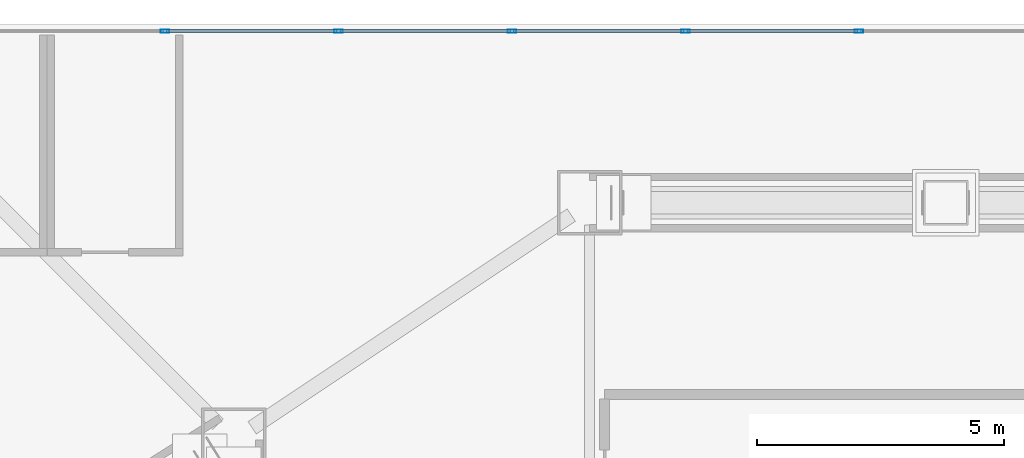
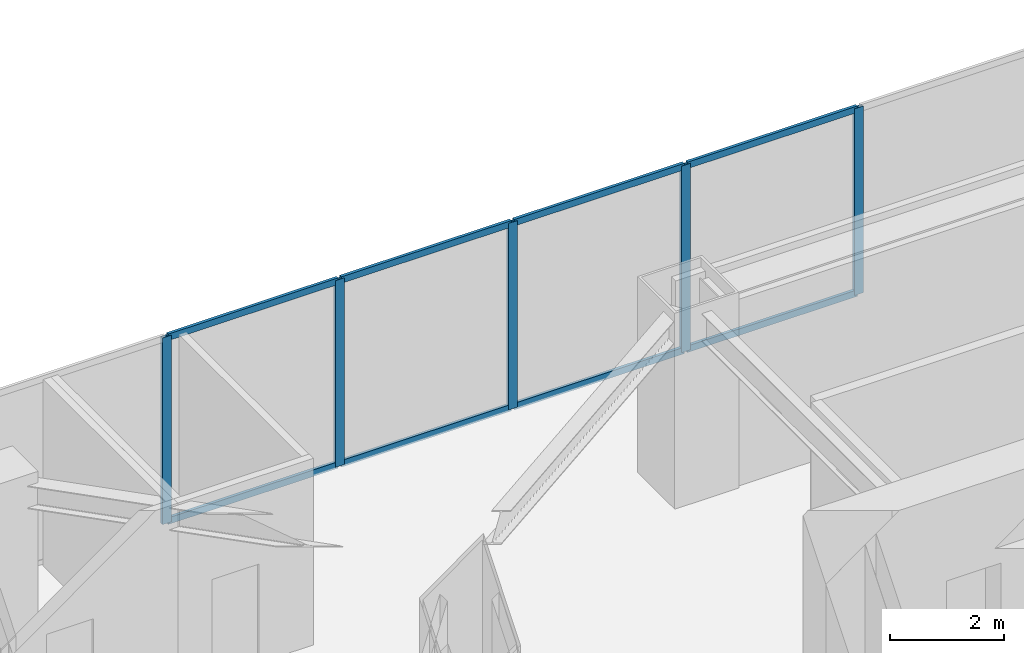
# One storey, part 13 of 39: 13 members, 1 element without a shape of its own.
"""IFC4 building model written with IfcOpenShell, lengths in metres."""

from ifc_helpers import new_model, si_unit, direction, frame, origin, origin_2d, place, context, subcontext, project, spatial, hollow_rectangle, extrude, material, layer, layer_set, material_profile, profile_set, type_object, element, aggregate, save


model = new_model("IFC4")

# Units and contexts
model_context = context("Model", 3, precision=1e-05, world=origin(), true_north=direction((0.0, 1.0)))
body_context = subcontext(model_context, "Body", "Model", "MODEL_VIEW")
ifc_project = project(units=[si_unit("LENGTHUNIT", "METRE"), si_unit("AREAUNIT", "SQUARE_METRE"), si_unit("VOLUMEUNIT", "CUBIC_METRE"), si_unit("PLANEANGLEUNIT", "RADIAN"), si_unit("MASSUNIT", "GRAM", prefix="KILO")], contexts=[model_context])

# Site, building, storey
site_placement = place(None, origin())
site = spatial("IfcSite", under=ifc_project, at=site_placement, CompositionType="ELEMENT")
building_placement = place(site_placement, origin())
building = spatial("IfcBuilding", under=site, at=building_placement, Name="Haolan Belvedere Tower", CompositionType="ELEMENT")
storey_placement = place(building_placement, frame((0.0, 0.0, 19.800048828125)))
storey = spatial("IfcBuildingStorey", under=building, at=storey_placement, Name="L04", CompositionType="ELEMENT", Elevation=19.800048828125)

# Curtain wall, members
ifc_material_1 = material(Name="Anodised champagne-silver aluminium 6063-T6 and Low-E glass", Category="aluminium")
ifc_layer = layer(ifc_material_1, 0.179931640625, Name="Anodised champagne-silver aluminium 6063-T6 and Low-E glass")
ifc_layer_set = layer_set([ifc_layer], Name="Anodised champagne-silver aluminium 6063-T6 and Low-E glass")
curtain_wall_type = type_object("IfcCurtainWallType", Name="CW-SYS-01", PredefinedType="NOTDEFINED", material=ifc_layer_set)
curtain_wall_placement = place(storey_placement, origin())
curtain_wall = element("IfcCurtainWall", 1, at=curtain_wall_placement, inside=storey, type_object=curtain_wall_type, Name="L04 CW-SYS-01 ribbon curtain wall 3.1", PredefinedType="NOTDEFINED")
ifc_material_2 = material(Name="Anodised aluminium 6063-T6", Category="aluminium")
ifc_material_profile_1 = material_profile(ifc_material_2, hollow_rectangle(XDim=0.06494140625, YDim=0.179931640625, WallThickness=0.00390625, at=origin_2d()), Name="Anodised aluminium 6063-T6")
ifc_profile_set_1 = profile_set([ifc_material_profile_1], Name="Anodised aluminium 6063-T6")
member_type_1 = type_object("IfcMemberType", Name="CW-SYS-01-MUL", PredefinedType="MULLION", material=ifc_profile_set_1)
member_1_placement = place(storey_placement, frame((36.645751953125, 53.8701171875, 0.0), z_axis=(0.0, 0.0, 1.0), x_axis=(0.0, -1.0, 0.0)))
member_1 = element("IfcMember", 2, at=member_1_placement, type_object=member_type_1, Name="CW-01 mullion 11", PredefinedType="MULLION", context=body_context, shape_type="SweptSolid", body=[
    extrude(hollow_rectangle(XDim=0.06494140625, YDim=0.179931640625, WallThickness=0.00390625, at=origin_2d()), origin(), (0.0, 0.0, 1.0), 4.0),
])
member_2_placement = place(storey_placement, frame((33.137451171875, 53.8701171875, 0.0), z_axis=(0.0, 0.0, 1.0), x_axis=(0.0, -1.0, 0.0)))
member_2 = element("IfcMember", 3, at=member_2_placement, type_object=member_type_1, Name="CW-01 mullion 12", PredefinedType="MULLION", context=body_context, shape_type="SweptSolid", body=[
    extrude(hollow_rectangle(XDim=0.06494140625, YDim=0.179931640625, WallThickness=0.00390625, at=origin_2d()), origin(), (0.0, 0.0, 1.0), 4.0),
])
member_3_placement = place(storey_placement, frame((29.62890625, 53.8701171875, 0.0), z_axis=(0.0, 0.0, 1.0), x_axis=(0.0, -1.0, 0.0)))
member_3 = element("IfcMember", 4, at=member_3_placement, type_object=member_type_1, Name="CW-01 mullion 13", PredefinedType="MULLION", context=body_context, shape_type="SweptSolid", body=[
    extrude(hollow_rectangle(XDim=0.06494140625, YDim=0.179931640625, WallThickness=0.00390625, at=origin_2d()), origin(), (0.0, 0.0, 1.0), 4.0),
])
member_4_placement = place(storey_placement, frame((26.12060546875, 53.8701171875, 0.0), z_axis=(0.0, 0.0, 1.0), x_axis=(0.0, -1.0, 0.0)))
member_4 = element("IfcMember", 5, at=member_4_placement, type_object=member_type_1, Name="CW-01 mullion 14", PredefinedType="MULLION", context=body_context, shape_type="SweptSolid", body=[
    extrude(hollow_rectangle(XDim=0.06494140625, YDim=0.179931640625, WallThickness=0.00390625, at=origin_2d()), origin(), (0.0, 0.0, 1.0), 4.0),
])
member_5_placement = place(storey_placement, frame((22.612060546875, 53.8701171875, 0.0), z_axis=(0.0, 0.0, 1.0), x_axis=(0.0, -1.0, 0.0)))
member_5 = element("IfcMember", 6, at=member_5_placement, type_object=member_type_1, Name="CW-01 mullion 15", PredefinedType="MULLION", context=body_context, shape_type="SweptSolid", body=[
    extrude(hollow_rectangle(XDim=0.06494140625, YDim=0.179931640625, WallThickness=0.00390625, at=origin_2d()), origin(), (0.0, 0.0, 1.0), 4.0),
])
ifc_material_profile_2 = material_profile(ifc_material_2, hollow_rectangle(XDim=0.06005859375, YDim=0.139892578125, WallThickness=0.00390625, at=origin_2d()), Name="Anodised aluminium 6063-T6")
ifc_profile_set_2 = profile_set([ifc_material_profile_2], Name="Anodised aluminium 6063-T6")
member_type_2 = type_object("IfcMemberType", Name="CW-SYS-01-TRN", PredefinedType="USERDEFINED", material=ifc_profile_set_2)
member_6_placement = place(storey_placement, frame((36.61328125, 53.8701171875, 0.030029296875), z_axis=(-1.0, 0.0, 0.0), x_axis=(0.0, -1.0, 0.0)))
member_6 = element("IfcMember", 7, at=member_6_placement, type_object=member_type_2, Name="CW-01 transom 11.1", ObjectType="TRANSOM", PredefinedType="USERDEFINED", context=body_context, shape_type="SweptSolid", body=[
    extrude(hollow_rectangle(XDim=0.06005859375, YDim=0.139892578125, WallThickness=0.00390625, at=origin_2d()), origin(), (0.0, 0.0, 1.0), 3.443359375),
])
member_7_placement = place(storey_placement, frame((36.61328125, 53.8701171875, 3.969970703125), z_axis=(-1.0, 0.0, 0.0), x_axis=(0.0, -1.0, 0.0)))
member_7 = element("IfcMember", 8, at=member_7_placement, type_object=member_type_2, Name="CW-01 transom 11.2", ObjectType="TRANSOM", PredefinedType="USERDEFINED", context=body_context, shape_type="SweptSolid", body=[
    extrude(hollow_rectangle(XDim=0.06005859375, YDim=0.139892578125, WallThickness=0.00390625, at=origin_2d()), origin(), (0.0, 0.0, 1.0), 3.443359375),
])
member_8_placement = place(storey_placement, frame((33.10498046875, 53.8701171875, 0.030029296875), z_axis=(-1.0, 0.0, 0.0), x_axis=(0.0, -1.0, 0.0)))
member_8 = element("IfcMember", 9, at=member_8_placement, type_object=member_type_2, Name="CW-01 transom 12.1", ObjectType="TRANSOM", PredefinedType="USERDEFINED", context=body_context, shape_type="SweptSolid", body=[
    extrude(hollow_rectangle(XDim=0.06005859375, YDim=0.139892578125, WallThickness=0.00390625, at=origin_2d()), origin(), (0.0, 0.0, 1.0), 3.443603515625),
])
member_9_placement = place(storey_placement, frame((33.10498046875, 53.8701171875, 3.969970703125), z_axis=(-1.0, 0.0, 0.0), x_axis=(0.0, -1.0, 0.0)))
member_9 = element("IfcMember", 10, at=member_9_placement, type_object=member_type_2, Name="CW-01 transom 12.2", ObjectType="TRANSOM", PredefinedType="USERDEFINED", context=body_context, shape_type="SweptSolid", body=[
    extrude(hollow_rectangle(XDim=0.06005859375, YDim=0.139892578125, WallThickness=0.00390625, at=origin_2d()), origin(), (0.0, 0.0, 1.0), 3.443603515625),
])
member_10_placement = place(storey_placement, frame((29.596435546875, 53.8701171875, 0.030029296875), z_axis=(-1.0, 0.0, 0.0), x_axis=(0.0, -1.0, 0.0)))
member_10 = element("IfcMember", 11, at=member_10_placement, type_object=member_type_2, Name="CW-01 transom 13.1", ObjectType="TRANSOM", PredefinedType="USERDEFINED", context=body_context, shape_type="SweptSolid", body=[
    extrude(hollow_rectangle(XDim=0.06005859375, YDim=0.139892578125, WallThickness=0.00390625, at=origin_2d()), origin(), (0.0, 0.0, 1.0), 3.443359375),
])
member_11_placement = place(storey_placement, frame((29.596435546875, 53.8701171875, 3.969970703125), z_axis=(-1.0, 0.0, 0.0), x_axis=(0.0, -1.0, 0.0)))
member_11 = element("IfcMember", 12, at=member_11_placement, type_object=member_type_2, Name="CW-01 transom 13.2", ObjectType="TRANSOM", PredefinedType="USERDEFINED", context=body_context, shape_type="SweptSolid", body=[
    extrude(hollow_rectangle(XDim=0.06005859375, YDim=0.139892578125, WallThickness=0.00390625, at=origin_2d()), origin(), (0.0, 0.0, 1.0), 3.443359375),
])
member_12_placement = place(storey_placement, frame((26.088134765625, 53.8701171875, 0.030029296875), z_axis=(-1.0, 0.0, 0.0), x_axis=(0.0, -1.0, 0.0)))
member_12 = element("IfcMember", 13, at=member_12_placement, type_object=member_type_2, Name="CW-01 transom 14.1", ObjectType="TRANSOM", PredefinedType="USERDEFINED", context=body_context, shape_type="SweptSolid", body=[
    extrude(hollow_rectangle(XDim=0.06005859375, YDim=0.139892578125, WallThickness=0.00390625, at=origin_2d()), origin(), (0.0, 0.0, 1.0), 3.443603515625),
])
member_13_placement = place(storey_placement, frame((26.088134765625, 53.8701171875, 3.969970703125), z_axis=(-1.0, 0.0, 0.0), x_axis=(0.0, -1.0, 0.0)))
member_13 = element("IfcMember", 14, at=member_13_placement, type_object=member_type_2, Name="CW-01 transom 14.2", ObjectType="TRANSOM", PredefinedType="USERDEFINED", context=body_context, shape_type="SweptSolid", body=[
    extrude(hollow_rectangle(XDim=0.06005859375, YDim=0.139892578125, WallThickness=0.00390625, at=origin_2d()), origin(), (0.0, 0.0, 1.0), 3.443603515625),
])
aggregate(curtain_wall, [member_1, member_2, member_3, member_4, member_5, member_6, member_7, member_8, member_9, member_10, member_11, member_12, member_13])

save(model, "model.ifc")
